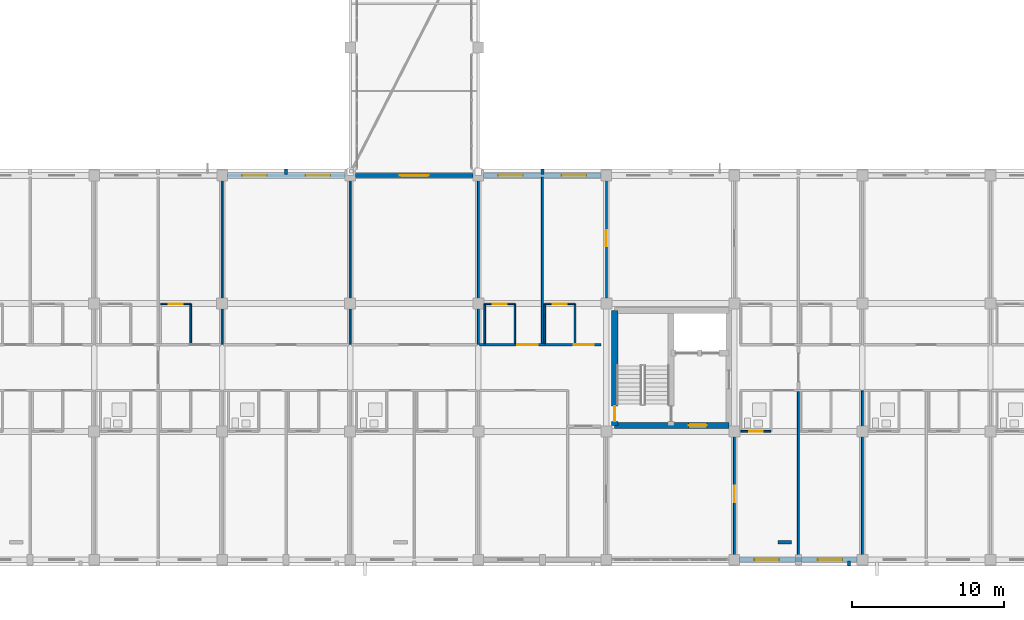
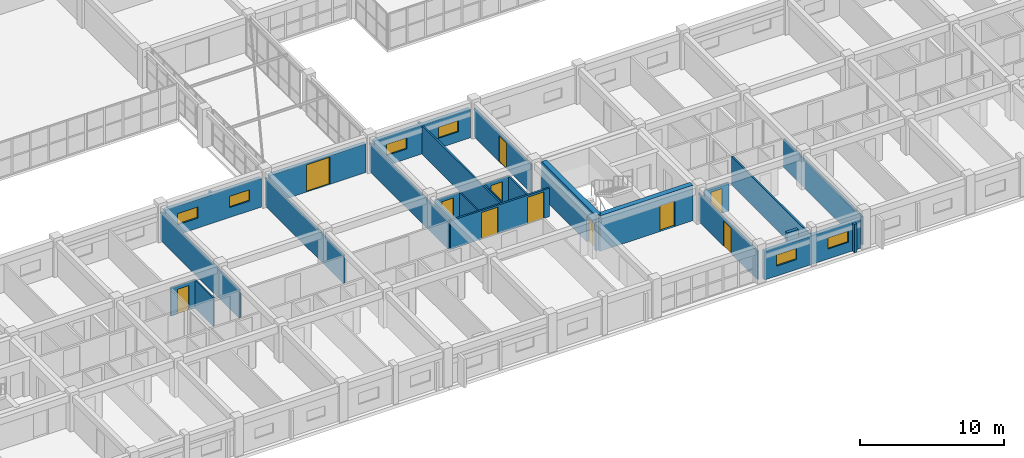
# One storey, part 116 of 148: 28 walls, 11 doors, 6 windows, 17 openings.
"""IFC4 building model written with IfcOpenShell, lengths in metres."""

from ifc_helpers import new_model, si_unit, direction, frame, frame_2d, origin, place, context, subcontext, project, spatial, rectangle, extrude, material, layer, layer_set, type_object, element, fill, save


model = new_model("IFC4")

# Units and contexts
model_context = context("Model", 3, precision=1e-05, world=origin(), true_north=direction((0.0, 1.0)))
body_context = subcontext(model_context, "Body", "Model", "MODEL_VIEW")
ifc_project = project(units=[si_unit("LENGTHUNIT", "METRE"), si_unit("AREAUNIT", "SQUARE_METRE"), si_unit("VOLUMEUNIT", "CUBIC_METRE"), si_unit("PLANEANGLEUNIT", "RADIAN"), si_unit("MASSUNIT", "GRAM", prefix="KILO")], contexts=[model_context])

# Site, building, storey
site_placement = place(None, origin())
site = spatial("IfcSite", under=ifc_project, at=site_placement, CompositionType="ELEMENT")
building_placement = place(site_placement, origin())
building = spatial("IfcBuilding", under=site, at=building_placement, Name="Trelvath General Hospital", CompositionType="ELEMENT")
storey_placement = place(building_placement, frame((0.0, 0.0, 12.89990234375)))
storey = spatial("IfcBuildingStorey", under=building, at=storey_placement, Name="L03", CompositionType="ELEMENT", Elevation=12.89990234375)

# Walls
ifc_material_1 = material(Name="Precast concrete C40/50", Category="concrete")
ifc_layer_1 = layer(ifc_material_1, 0.199951171875)
ifc_layer_set_1 = layer_set([ifc_layer_1], Name="Precast concrete C40/50")
wall_type_1 = type_object("IfcWallType", Name="BriseSoleilRib 200", PredefinedType="ELEMENTEDWALL", material=ifc_layer_set_1)
for number, where, z_axis, x_axis, name in (
    (1, (71.39990234375, 25.27490234375, 0.0), (0.0, 0.0, 1.0), (0.0, 1.0, 0.0), "Precast Concrete Brise-Soleil Rib Fin L03-269"),
    (2, (88.199951171875, 25.27490234375, 0.0), (0.0, 0.0, 1.0), (0.0, 1.0, 0.0), "Precast Concrete Brise-Soleil Rib Fin L03-275"),
    (3, (108.315185546875, -0.074951171875, 0.0), (0.0, 0.0, 1.0), (0.0, -1.0, 0.0), "Precast Concrete Brise-Soleil Rib Fin L03-280"),
):
    element("IfcWall", number, at=place(storey_placement, frame(where, z_axis=z_axis, x_axis=x_axis)), inside=storey, type_object=wall_type_1, Name=name, PredefinedType="ELEMENTEDWALL", context=body_context, shape_type="SweptSolid", body=[
        extrude(rectangle(XDim=0.340087890625, YDim=0.199951171875, at=frame_2d((0.169921875, 0.0))), origin(), (0.0, 0.0, 1.0), 2.420166015625),
    ])

# Wall, openings, doors
ifc_material_2 = material(Name="Gypsum acoustic steel-stud partition", Category="steel")
ifc_layer_2 = layer(ifc_material_2, 0.14990234375)
ifc_layer_set_2 = layer_set([ifc_layer_2], Name="Gypsum acoustic steel-stud partition")
wall_type_2 = type_object("IfcWallType", Name="ClinicalPartition 150", PredefinedType="PARTITIONING", material=ifc_layer_set_2)
wall_1_placement = place(storey_placement, frame((92.0400390625, 14.10009765625, 0.0), z_axis=(0.0, 0.0, 1.0), x_axis=(-1.0, 0.0, 0.0)))
wall_1 = element("IfcWall", 4, at=wall_1_placement, inside=storey, type_object=wall_type_2, Name="Corridor Partition N L03-1159", PredefinedType="PARTITIONING", context=body_context, shape_type="SweptSolid", body=[
    extrude(rectangle(XDim=7.9599609375, YDim=0.14990234375, at=frame_2d((3.97998046875, 0.0))), origin(), (0.0, 0.0, 1.0), 2.420166015625),
])
opening_1_placement = place(wall_1_placement, frame((0.449951171875, 0.0, 0.0)))
opening_1 = element("IfcOpeningElement", 5, at=opening_1_placement, cuts=wall_1, Name="Opening D-3-0865", PredefinedType="OPENING", context=body_context, shape_type="SweptSolid", body=[
    extrude(rectangle(XDim=1.320068359375, YDim=2.25, at=frame_2d((0.66015625, 1.125))), frame((0.0, 0.0849609375, 0.0), z_axis=(0.0, -1.0, 0.0), x_axis=(1.0, 0.0, 0.0)), (0.0, 0.0, 1.0), 0.169921875),
])
opening_2_placement = place(wall_1_placement, frame((4.14990234375, 0.0, 0.0)))
opening_2 = element("IfcOpeningElement", 6, at=opening_2_placement, cuts=wall_1, Name="Opening D-3-0866", PredefinedType="OPENING", context=body_context, shape_type="SweptSolid", body=[
    extrude(rectangle(XDim=1.320068359375, YDim=2.25, at=frame_2d((0.66015625, 1.125))), frame((0.0, 0.0849609375, 0.0), z_axis=(0.0, -1.0, 0.0), x_axis=(1.0, 0.0, 0.0)), (0.0, 0.0, 1.0), 0.169921875),
])
ifc_material_3 = material(Name="Maternity bed-leaf timber door", Category="wood")
door_type_1 = type_object("IfcDoorType", Name="Door PatientMaternity 1320x2250", OperationType="NOTDEFINED", PredefinedType="DOOR", material=ifc_material_3)
door_1_placement = place(opening_1_placement, origin())
door_1 = element("IfcDoor", 7, at=door_1_placement, inside=storey, type_object=door_type_1, Name="Patient Room Door N L03-865", OperationType="SINGLE_SWING_LEFT", OverallHeight=2.25, OverallWidth=1.320068359375, PredefinedType="DOOR", context=body_context, shape_type="SweptSolid", body=[
    extrude(rectangle(XDim=1.320068359375, YDim=2.25, at=frame_2d((0.66015625, 1.125))), frame((0.0, 0.02490234375, 0.0), z_axis=(0.0, -1.0, 0.0), x_axis=(1.0, 0.0, 0.0)), (0.0, 0.0, 1.0), 0.050048828125),
])
fill(opening_1, door_1)
door_2_placement = place(opening_2_placement, origin())
door_2 = element("IfcDoor", 8, at=door_2_placement, inside=storey, type_object=door_type_1, Name="Patient Room Door N L03-866", OperationType="SINGLE_SWING_LEFT", OverallHeight=2.25, OverallWidth=1.320068359375, PredefinedType="DOOR", context=body_context, shape_type="SweptSolid", body=[
    extrude(rectangle(XDim=1.320068359375, YDim=2.25, at=frame_2d((0.66015625, 1.125))), frame((0.0, 0.02490234375, 0.0), z_axis=(0.0, -1.0, 0.0), x_axis=(1.0, 0.0, 0.0)), (0.0, 0.0, 1.0), 0.050048828125),
])
fill(opening_2, door_2)

# Wall, opening, door
ifc_material_4 = material(Name="Concrete C40/50", Category="concrete")
ifc_layer_3 = layer(ifc_material_4, 0.39990234375)
ifc_layer_set_3 = layer_set([ifc_layer_3], Name="Concrete C40/50")
wall_type_3 = type_object("IfcWallType", Name="CoreShearWall 400", PredefinedType="SHEAR", material=ifc_layer_set_3)
wall_2_placement = place(storey_placement, frame((92.949951171875, 8.800048828125, 0.0), z_axis=(0.0, 0.0, 1.0), x_axis=(1.0, 0.0, 0.0)))
wall_2 = element("IfcWall", 9, at=wall_2_placement, inside=storey, type_object=wall_type_3, Name="Core Shear Wall C5 S L03", PredefinedType="SHEAR", context=body_context, shape_type="SweptSolid", body=[
    extrude(rectangle(XDim=7.5, YDim=0.39990234375, at=frame_2d((3.75, 0.0))), origin(), (0.0, 0.0, 1.0), 3.02001953125),
])
opening_3_placement = place(wall_2_placement, frame((4.85009765625, 0.0, 0.0)))
opening_3 = element("IfcOpeningElement", 10, at=opening_3_placement, cuts=wall_2, Name="Opening FD-LS53", PredefinedType="OPENING", context=body_context, shape_type="SweptSolid", body=[
    extrude(rectangle(XDim=1.199951171875, YDim=2.199951171875, at=frame_2d((0.60009765625, 1.10009765625))), frame((0.0, 0.2099609375, 0.0), z_axis=(0.0, -1.0, 0.0), x_axis=(1.0, 0.0, 0.0)), (0.0, 0.0, 1.0), 0.419921875),
])
ifc_material_5 = material(Name="Fire-rated steel door", Category="steel")
door_type_2 = type_object("IfcDoorType", Name="Door FireLobby 1200x2200", OperationType="NOTDEFINED", PredefinedType="DOOR", material=ifc_material_5)
door_3_placement = place(opening_3_placement, origin())
door_3 = element("IfcDoor", 11, at=door_3_placement, inside=storey, type_object=door_type_2, Name="Fire Lobby South Door C5 L03", OperationType="SINGLE_SWING_LEFT", OverallHeight=2.199951171875, OverallWidth=1.199951171875, PredefinedType="DOOR", context=body_context, shape_type="SweptSolid", body=[
    extrude(rectangle(XDim=1.199951171875, YDim=2.199951171875, at=frame_2d((0.60009765625, 1.10009765625))), frame((0.0, 0.02490234375, 0.0), z_axis=(0.0, -1.0, 0.0), x_axis=(1.0, 0.0, 0.0)), (0.0, 0.0, 1.0), 0.050048828125),
])
fill(opening_3, door_3)

wall_3_placement = place(storey_placement, frame((92.949951171875, 8.800048828125, 0.0), z_axis=(0.0, 0.0, 1.0), x_axis=(0.0, 1.0, 0.0)))
wall_3 = element("IfcWall", 12, at=wall_3_placement, inside=storey, type_object=wall_type_3, Name="Core Shear Wall C5 W L03", PredefinedType="SHEAR", context=body_context, shape_type="SweptSolid", body=[
    extrude(rectangle(XDim=7.550048828125, YDim=0.39990234375, at=frame_2d((3.77490234375, 0.0))), origin(), (0.0, 0.0, 1.0), 3.02001953125),
])
opening_4_placement = place(wall_3_placement, frame((0.280029296875, 0.0, 0.0)))
opening_4 = element("IfcOpeningElement", 13, at=opening_4_placement, cuts=wall_3, Name="Opening FD-SW53", PredefinedType="OPENING", context=body_context, shape_type="SweptSolid", body=[
    extrude(rectangle(XDim=1.0, YDim=2.14990234375, at=frame_2d((0.5, 1.074951171875))), frame((0.0, 0.2099609375, 0.0), z_axis=(0.0, -1.0, 0.0), x_axis=(1.0, 0.0, 0.0)), (0.0, 0.0, 1.0), 0.419921875),
])
ifc_material_6 = material(Name="Fire-rated steel door", Category="steel")
door_type_3 = type_object("IfcDoorType", Name="Door FireStair 1100x2150", OperationType="NOTDEFINED", PredefinedType="DOOR", material=ifc_material_6)
door_4_placement = place(opening_4_placement, origin())
door_4 = element("IfcDoor", 14, at=door_4_placement, inside=storey, type_object=door_type_3, Name="West Corridor Stair Door ST5 L03", OperationType="SINGLE_SWING_RIGHT", OverallHeight=2.14990234375, OverallWidth=1.0, PredefinedType="DOOR", context=body_context, shape_type="SweptSolid", body=[
    extrude(rectangle(XDim=1.0, YDim=2.14990234375, at=frame_2d((0.5, 1.074951171875))), frame((0.0, 0.02490234375, 0.0), z_axis=(0.0, -1.0, 0.0), x_axis=(1.0, 0.0, 0.0)), (0.0, 0.0, 1.0), 0.050048828125),
])
fill(opening_4, door_4)

# Wall
ifc_material_7 = material(Name="Moisture-resistant tile partition")
ifc_layer_4 = layer(ifc_material_7, 0.110107421875)
ifc_layer_set_4 = layer_set([ifc_layer_4], Name="Moisture-resistant tile partition")
wall_type_4 = type_object("IfcWallType", Name="EnSuiteWetWall 110", PredefinedType="PARTITIONING", material=ifc_layer_set_4)
wall_4_placement = place(storey_placement, frame((65.139892578125, 14.169921875, 0.0), z_axis=(0.0, 0.0, 1.0), x_axis=(0.0, 1.0, 0.0)))
element("IfcWall", 15, at=wall_4_placement, inside=storey, type_object=wall_type_4, Name="En-Suite E Wall N L03-1128", PredefinedType="PARTITIONING", context=body_context, shape_type="SweptSolid", body=[
    extrude(rectangle(XDim=2.610107421875, YDim=0.110107421875, at=frame_2d((1.30517578125, 0.0))), origin(), (0.0, 0.0, 1.0), 2.420166015625),
])

# Wall, opening, door
wall_5_placement = place(storey_placement, frame((63.159912109375, 16.780029296875, 0.0), z_axis=(0.0, 0.0, 1.0), x_axis=(1.0, 0.0, 0.0)))
wall_5 = element("IfcWall", 16, at=wall_5_placement, inside=storey, type_object=wall_type_4, Name="En-Suite Bathroom N Partition L03-1129", PredefinedType="PARTITIONING", context=body_context, shape_type="SweptSolid", body=[
    extrude(rectangle(XDim=1.97998046875, YDim=0.110107421875, at=frame_2d((0.989990234375, 0.0))), origin(), (0.0, 0.0, 1.0), 2.420166015625),
])
opening_5_placement = place(wall_5_placement, frame((0.5400390625, 0.0, 0.0)))
opening_5 = element("IfcOpeningElement", 17, at=opening_5_placement, cuts=wall_5, Name="Opening D-3-0851", PredefinedType="OPENING", context=body_context, shape_type="SweptSolid", body=[
    extrude(rectangle(XDim=0.89990234375, YDim=2.10009765625, at=frame_2d((0.449951171875, 1.050048828125))), frame((0.0, 0.06494140625, 0.0), z_axis=(0.0, -1.0, 0.0), x_axis=(1.0, 0.0, 0.0)), (0.0, 0.0, 1.0), 0.130126953125),
])
ifc_material_8 = material(Name="Moisture-sealed timber leaf", Category="wood")
door_type_4 = type_object("IfcDoorType", Name="Door EnSuite 900x2100", OperationType="NOTDEFINED", PredefinedType="DOOR", material=ifc_material_8)
door_5_placement = place(opening_5_placement, origin())
door_5 = element("IfcDoor", 18, at=door_5_placement, inside=storey, type_object=door_type_4, Name="En-Suite Bathroom N Door L03-851", OperationType="SINGLE_SWING_LEFT", OverallHeight=2.10009765625, OverallWidth=0.89990234375, PredefinedType="DOOR", context=body_context, shape_type="SweptSolid", body=[
    extrude(rectangle(XDim=0.89990234375, YDim=2.10009765625, at=frame_2d((0.449951171875, 1.050048828125))), frame((0.0, 0.02490234375, 0.0), z_axis=(0.0, -1.0, 0.0), x_axis=(1.0, 0.0, 0.0)), (0.0, 0.0, 1.0), 0.050048828125),
])
fill(opening_5, door_5)

# Walls
for number, where, z_axis, x_axis, name in (
    (19, (84.419921875, 14.169921875, 0.0), (0.0, 0.0, 1.0), (0.0, 1.0, 0.0), "En-Suite W Wall N L03-1161"),
    (20, (86.39990234375, 14.169921875, 0.0), (0.0, 0.0, 1.0), (0.0, 1.0, 0.0), "En-Suite E Wall N L03-1162"),
):
    element("IfcWall", number, at=place(storey_placement, frame(where, z_axis=z_axis, x_axis=x_axis)), inside=storey, type_object=wall_type_4, Name=name, PredefinedType="PARTITIONING", context=body_context, shape_type="SweptSolid", body=[
        extrude(rectangle(XDim=2.610107421875, YDim=0.110107421875, at=frame_2d((1.30517578125, 0.0))), origin(), (0.0, 0.0, 1.0), 2.420166015625),
    ])

# Wall, opening, door
wall_6_placement = place(storey_placement, frame((84.419921875, 16.780029296875, 0.0), z_axis=(0.0, 0.0, 1.0), x_axis=(1.0, 0.0, 0.0)))
wall_6 = element("IfcWall", 21, at=wall_6_placement, inside=storey, type_object=wall_type_4, Name="En-Suite Bathroom N Partition L03-1163", PredefinedType="PARTITIONING", context=body_context, shape_type="SweptSolid", body=[
    extrude(rectangle(XDim=1.97998046875, YDim=0.110107421875, at=frame_2d((0.989990234375, 0.0))), origin(), (0.0, 0.0, 1.0), 2.420166015625),
])
opening_6_placement = place(wall_6_placement, frame((0.5400390625, 0.0, 0.0)))
opening_6 = element("IfcOpeningElement", 22, at=opening_6_placement, cuts=wall_6, Name="Opening D-3-0867", PredefinedType="OPENING", context=body_context, shape_type="SweptSolid", body=[
    extrude(rectangle(XDim=0.89990234375, YDim=2.10009765625, at=frame_2d((0.449951171875, 1.050048828125))), frame((0.0, 0.06494140625, 0.0), z_axis=(0.0, -1.0, 0.0), x_axis=(1.0, 0.0, 0.0)), (0.0, 0.0, 1.0), 0.130126953125),
])
door_6_placement = place(opening_6_placement, origin())
door_6 = element("IfcDoor", 23, at=door_6_placement, inside=storey, type_object=door_type_4, Name="En-Suite Bathroom N Door L03-867", OperationType="SINGLE_SWING_RIGHT", OverallHeight=2.10009765625, OverallWidth=0.89990234375, PredefinedType="DOOR", context=body_context, shape_type="SweptSolid", body=[
    extrude(rectangle(XDim=0.89990234375, YDim=2.10009765625, at=frame_2d((0.449951171875, 1.050048828125))), frame((0.0, 0.02490234375, 0.0), z_axis=(0.0, -1.0, 0.0), x_axis=(1.0, 0.0, 0.0)), (0.0, 0.0, 1.0), 0.050048828125),
])
fill(opening_6, door_6)

# Walls
for number, where, z_axis, x_axis, name in (
    (24, (88.360107421875, 14.169921875, 0.0), (0.0, 0.0, 1.0), (0.0, 1.0, 0.0), "En-Suite W Wall N L03-1164"),
    (25, (90.340087890625, 14.169921875, 0.0), (0.0, 0.0, 1.0), (0.0, 1.0, 0.0), "En-Suite E Wall N L03-1165"),
):
    element("IfcWall", number, at=place(storey_placement, frame(where, z_axis=z_axis, x_axis=x_axis)), inside=storey, type_object=wall_type_4, Name=name, PredefinedType="PARTITIONING", context=body_context, shape_type="SweptSolid", body=[
        extrude(rectangle(XDim=2.610107421875, YDim=0.110107421875, at=frame_2d((1.30517578125, 0.0))), origin(), (0.0, 0.0, 1.0), 2.420166015625),
    ])

# Wall, opening, door
wall_7_placement = place(storey_placement, frame((88.360107421875, 16.780029296875, 0.0), z_axis=(0.0, 0.0, 1.0), x_axis=(1.0, 0.0, 0.0)))
wall_7 = element("IfcWall", 26, at=wall_7_placement, inside=storey, type_object=wall_type_4, Name="En-Suite Bathroom N Partition L03-1166", PredefinedType="PARTITIONING", context=body_context, shape_type="SweptSolid", body=[
    extrude(rectangle(XDim=1.97998046875, YDim=0.110107421875, at=frame_2d((0.989990234375, 0.0))), origin(), (0.0, 0.0, 1.0), 2.420166015625),
])
opening_7_placement = place(wall_7_placement, frame((0.5400390625, 0.0, 0.0)))
opening_7 = element("IfcOpeningElement", 27, at=opening_7_placement, cuts=wall_7, Name="Opening D-3-0868", PredefinedType="OPENING", context=body_context, shape_type="SweptSolid", body=[
    extrude(rectangle(XDim=0.89990234375, YDim=2.10009765625, at=frame_2d((0.449951171875, 1.050048828125))), frame((0.0, 0.06494140625, 0.0), z_axis=(0.0, -1.0, 0.0), x_axis=(1.0, 0.0, 0.0)), (0.0, 0.0, 1.0), 0.130126953125),
])
door_7_placement = place(opening_7_placement, origin())
door_7 = element("IfcDoor", 28, at=door_7_placement, inside=storey, type_object=door_type_4, Name="En-Suite Bathroom N Door L03-868", OperationType="SINGLE_SWING_LEFT", OverallHeight=2.10009765625, OverallWidth=0.89990234375, PredefinedType="DOOR", context=body_context, shape_type="SweptSolid", body=[
    extrude(rectangle(XDim=0.89990234375, YDim=2.10009765625, at=frame_2d((0.449951171875, 1.050048828125))), frame((0.0, 0.02490234375, 0.0), z_axis=(0.0, -1.0, 0.0), x_axis=(1.0, 0.0, 0.0)), (0.0, 0.0, 1.0), 0.050048828125),
])
fill(opening_7, door_7)

wall_8_placement = place(storey_placement, frame((101.219970703125, 8.419921875, 0.0), z_axis=(0.0, 0.0, 1.0), x_axis=(1.0, 0.0, 0.0)))
wall_8 = element("IfcWall", 29, at=wall_8_placement, inside=storey, type_object=wall_type_4, Name="En-Suite Bathroom Partition L03-1175", PredefinedType="PARTITIONING", context=body_context, shape_type="SweptSolid", body=[
    extrude(rectangle(XDim=1.97998046875, YDim=0.110107421875, at=frame_2d((0.989990234375, 0.0))), origin(), (0.0, 0.0, 1.0), 2.420166015625),
])
opening_8_placement = place(wall_8_placement, frame((0.5400390625, 0.0, 0.0)))
opening_8 = element("IfcOpeningElement", 30, at=opening_8_placement, cuts=wall_8, Name="Opening D-3-0875", PredefinedType="OPENING", context=body_context, shape_type="SweptSolid", body=[
    extrude(rectangle(XDim=0.89990234375, YDim=2.10009765625, at=frame_2d((0.449951171875, 1.050048828125))), frame((0.0, 0.06494140625, 0.0), z_axis=(0.0, -1.0, 0.0), x_axis=(1.0, 0.0, 0.0)), (0.0, 0.0, 1.0), 0.130126953125),
])
door_8_placement = place(opening_8_placement, origin())
door_8 = element("IfcDoor", 31, at=door_8_placement, inside=storey, type_object=door_type_4, Name="En-Suite Bathroom Door L03-875", OperationType="SINGLE_SWING_RIGHT", OverallHeight=2.10009765625, OverallWidth=0.89990234375, PredefinedType="DOOR", context=body_context, shape_type="SweptSolid", body=[
    extrude(rectangle(XDim=0.89990234375, YDim=2.10009765625, at=frame_2d((0.449951171875, 1.050048828125))), frame((0.0, 0.02490234375, 0.0), z_axis=(0.0, -1.0, 0.0), x_axis=(1.0, 0.0, 0.0)), (0.0, 0.0, 1.0), 0.050048828125),
])
fill(opening_8, door_8)

# Wall, openings, windows
ifc_material_9 = material(Name="Concrete C35/45", Category="concrete")
ifc_layer_5 = layer(ifc_material_9, 0.2900390625)
ifc_layer_set_5 = layer_set([ifc_layer_5], Name="Concrete C35/45")
wall_type_5 = type_object("IfcWallType", Name="ExtBushHammeredWall 290", PredefinedType="SOLIDWALL", material=ifc_layer_set_5)
wall_9_placement = place(storey_placement, frame((67.544921875, 25.199951171875, 0.0), z_axis=(0.0, 0.0, 1.0), x_axis=(1.0, 0.0, 0.0)))
wall_9 = element("IfcWall", 32, at=wall_9_placement, inside=storey, type_object=wall_type_5, Name="Exterior Concrete Wall L03-377", PredefinedType="SOLIDWALL", context=body_context, shape_type="SweptSolid", body=[
    extrude(rectangle(XDim=7.7099609375, YDim=0.2900390625, at=frame_2d((3.85498046875, 0.0))), origin(), (0.0, 0.0, 1.0), 2.440185546875),
])
opening_9_placement = place(wall_9_placement, frame((0.96337890625, 0.0, 0.85009765625)))
opening_9 = element("IfcOpeningElement", 33, at=opening_9_placement, cuts=wall_9, Name="Opening WN-3-623", PredefinedType="OPENING", context=body_context, shape_type="SweptSolid", body=[
    extrude(rectangle(XDim=1.6201171875, YDim=0.949951171875, at=frame_2d((0.81005859375, 0.47509765625))), frame((0.0, 0.155029296875, 0.0), z_axis=(0.0, -1.0, 0.0), x_axis=(1.0, 0.0, 0.0)), (0.0, 0.0, 1.0), 0.31005859375),
])
opening_10_placement = place(wall_9_placement, frame((5.126708984375, 0.0, 0.85009765625)))
opening_10 = element("IfcOpeningElement", 34, at=opening_10_placement, cuts=wall_9, Name="Opening WN-3-624", PredefinedType="OPENING", context=body_context, shape_type="SweptSolid", body=[
    extrude(rectangle(XDim=1.6201171875, YDim=0.949951171875, at=frame_2d((0.81005859375, 0.47509765625))), frame((0.0, 0.155029296875, 0.0), z_axis=(0.0, -1.0, 0.0), x_axis=(1.0, 0.0, 0.0)), (0.0, 0.0, 1.0), 0.31005859375),
])
ifc_material_10 = material(Name="Low-E laminated glass", Category="glass")
window_type = type_object("IfcWindowType", Name="Window EmergencyClere 1620x950", PartitioningType="DOUBLE_PANEL_VERTICAL", PredefinedType="WINDOW", material=ifc_material_10)
window_1_placement = place(opening_9_placement, origin())
window_1 = element("IfcWindow", 35, at=window_1_placement, inside=storey, type_object=window_type, Name="Solar Reveal Window L03-623", OverallHeight=0.949951171875, OverallWidth=1.6201171875, PartitioningType="SINGLE_PANEL", PredefinedType="WINDOW", context=body_context, shape_type="SweptSolid", body=[
    extrude(rectangle(XDim=1.6201171875, YDim=0.949951171875, at=frame_2d((0.81005859375, 0.47509765625))), frame((0.0, 0.030029296875, 0.0), z_axis=(0.0, -1.0, 0.0), x_axis=(1.0, 0.0, 0.0)), (0.0, 0.0, 1.0), 0.06005859375),
])
fill(opening_9, window_1)
window_2_placement = place(opening_10_placement, origin())
window_2 = element("IfcWindow", 36, at=window_2_placement, inside=storey, type_object=window_type, Name="Solar Reveal Window L03-624", OverallHeight=0.949951171875, OverallWidth=1.6201171875, PartitioningType="SINGLE_PANEL", PredefinedType="WINDOW", context=body_context, shape_type="SweptSolid", body=[
    extrude(rectangle(XDim=1.6201171875, YDim=0.949951171875, at=frame_2d((0.81005859375, 0.47509765625))), frame((0.0, 0.030029296875, 0.0), z_axis=(0.0, -1.0, 0.0), x_axis=(1.0, 0.0, 0.0)), (0.0, 0.0, 1.0), 0.06005859375),
])
fill(opening_10, window_2)

# Wall, opening, door
wall_10_placement = place(storey_placement, frame((75.945068359375, 25.199951171875, 0.0), z_axis=(0.0, 0.0, 1.0), x_axis=(1.0, 0.0, 0.0)))
wall_10 = element("IfcWall", 37, at=wall_10_placement, inside=storey, type_object=wall_type_5, Name="Bridge Portal Wall BRG-S-C L03", PredefinedType="SOLIDWALL", context=body_context, shape_type="SweptSolid", body=[
    extrude(rectangle(XDim=7.7099609375, YDim=0.2900390625, at=frame_2d((3.85498046875, 0.0))), origin(), (0.0, 0.0, 1.0), 2.440185546875),
])
opening_11_placement = place(wall_10_placement, frame((2.905029296875, 0.0, 0.0)))
opening_11 = element("IfcOpeningElement", 38, at=opening_11_placement, cuts=wall_10, Name="Opening BP-3-050", PredefinedType="OPENING", context=body_context, shape_type="SweptSolid", body=[
    extrude(rectangle(XDim=1.89990234375, YDim=2.320068359375, at=frame_2d((0.949951171875, 1.16015625))), frame((0.0, 0.155029296875, 0.0), z_axis=(0.0, -1.0, 0.0), x_axis=(1.0, 0.0, 0.0)), (0.0, 0.0, 1.0), 0.31005859375),
])
ifc_material_11 = material(Name="Thermally broken glazed aluminium pair", Category="aluminium")
door_type_5 = type_object("IfcDoorType", Name="Door BridgeEntry 1900x2400", OperationType="DOUBLE_SWING_LEFT", PredefinedType="DOOR", material=ifc_material_11)
door_9_placement = place(opening_11_placement, origin())
door_9 = element("IfcDoor", 39, at=door_9_placement, inside=storey, type_object=door_type_5, Name="Glazed Bridge Portal Door BRG-S-C L03", OperationType="DOUBLE_SWING_LEFT", OverallHeight=2.320068359375, OverallWidth=1.89990234375, PredefinedType="DOOR", context=body_context, shape_type="SweptSolid", body=[
    extrude(rectangle(XDim=1.89990234375, YDim=2.320068359375, at=frame_2d((0.949951171875, 1.16015625))), frame((0.0, 0.02490234375, 0.0), z_axis=(0.0, -1.0, 0.0), x_axis=(1.0, 0.0, 0.0)), (0.0, 0.0, 1.0), 0.050048828125),
])
fill(opening_11, door_9)

# Wall, openings, windows
wall_11_placement = place(storey_placement, frame((84.344970703125, 25.199951171875, 0.0), z_axis=(0.0, 0.0, 1.0), x_axis=(1.0, 0.0, 0.0)))
wall_11 = element("IfcWall", 40, at=wall_11_placement, inside=storey, type_object=wall_type_5, Name="Exterior Concrete Wall L03-390", PredefinedType="SOLIDWALL", context=body_context, shape_type="SweptSolid", body=[
    extrude(rectangle(XDim=7.7099609375, YDim=0.2900390625, at=frame_2d((3.85498046875, 0.0))), origin(), (0.0, 0.0, 1.0), 2.440185546875),
])
opening_12_placement = place(wall_11_placement, frame((0.96337890625, 0.0, 0.85009765625)))
opening_12 = element("IfcOpeningElement", 41, at=opening_12_placement, cuts=wall_11, Name="Opening WN-3-635", PredefinedType="OPENING", context=body_context, shape_type="SweptSolid", body=[
    extrude(rectangle(XDim=1.6201171875, YDim=0.949951171875, at=frame_2d((0.81005859375, 0.47509765625))), frame((0.0, 0.155029296875, 0.0), z_axis=(0.0, -1.0, 0.0), x_axis=(1.0, 0.0, 0.0)), (0.0, 0.0, 1.0), 0.31005859375),
])
opening_13_placement = place(wall_11_placement, frame((5.126708984375, 0.0, 0.85009765625)))
opening_13 = element("IfcOpeningElement", 42, at=opening_13_placement, cuts=wall_11, Name="Opening WN-3-636", PredefinedType="OPENING", context=body_context, shape_type="SweptSolid", body=[
    extrude(rectangle(XDim=1.6201171875, YDim=0.949951171875, at=frame_2d((0.81005859375, 0.47509765625))), frame((0.0, 0.155029296875, 0.0), z_axis=(0.0, -1.0, 0.0), x_axis=(1.0, 0.0, 0.0)), (0.0, 0.0, 1.0), 0.31005859375),
])
window_3_placement = place(opening_12_placement, origin())
window_3 = element("IfcWindow", 43, at=window_3_placement, inside=storey, type_object=window_type, Name="Solar Reveal Window L03-635", OverallHeight=0.949951171875, OverallWidth=1.6201171875, PartitioningType="SINGLE_PANEL", PredefinedType="WINDOW", context=body_context, shape_type="SweptSolid", body=[
    extrude(rectangle(XDim=1.6201171875, YDim=0.949951171875, at=frame_2d((0.81005859375, 0.47509765625))), frame((0.0, 0.030029296875, 0.0), z_axis=(0.0, -1.0, 0.0), x_axis=(1.0, 0.0, 0.0)), (0.0, 0.0, 1.0), 0.06005859375),
])
fill(opening_12, window_3)
window_4_placement = place(opening_13_placement, origin())
window_4 = element("IfcWindow", 44, at=window_4_placement, inside=storey, type_object=window_type, Name="Solar Reveal Window L03-636", OverallHeight=0.949951171875, OverallWidth=1.6201171875, PartitioningType="SINGLE_PANEL", PredefinedType="WINDOW", context=body_context, shape_type="SweptSolid", body=[
    extrude(rectangle(XDim=1.6201171875, YDim=0.949951171875, at=frame_2d((0.81005859375, 0.47509765625))), frame((0.0, 0.030029296875, 0.0), z_axis=(0.0, -1.0, 0.0), x_axis=(1.0, 0.0, 0.0)), (0.0, 0.0, 1.0), 0.06005859375),
])
fill(opening_13, window_4)

wall_12_placement = place(storey_placement, frame((108.85498046875, 0.0, 0.0), z_axis=(0.0, 0.0, 1.0), x_axis=(-1.0, 0.0, 0.0)))
wall_12 = element("IfcWall", 45, at=wall_12_placement, inside=storey, type_object=wall_type_5, Name="Exterior Concrete Wall L03-398", PredefinedType="SOLIDWALL", context=body_context, shape_type="SweptSolid", body=[
    extrude(rectangle(XDim=7.7099609375, YDim=0.2900390625, at=frame_2d((3.85498046875, 0.0))), origin(), (0.0, 0.0, 1.0), 2.440185546875),
])
opening_14_placement = place(wall_12_placement, frame((0.96337890625, 0.0, 0.85009765625)))
opening_14 = element("IfcOpeningElement", 46, at=opening_14_placement, cuts=wall_12, Name="Opening WN-3-645", PredefinedType="OPENING", context=body_context, shape_type="SweptSolid", body=[
    extrude(rectangle(XDim=1.6201171875, YDim=0.949951171875, at=frame_2d((0.81005859375, 0.47509765625))), frame((0.0, 0.155029296875, 0.0), z_axis=(0.0, -1.0, 0.0), x_axis=(1.0, 0.0, 0.0)), (0.0, 0.0, 1.0), 0.31005859375),
])
opening_15_placement = place(wall_12_placement, frame((5.126708984375, 0.0, 0.85009765625)))
opening_15 = element("IfcOpeningElement", 47, at=opening_15_placement, cuts=wall_12, Name="Opening WN-3-646", PredefinedType="OPENING", context=body_context, shape_type="SweptSolid", body=[
    extrude(rectangle(XDim=1.6201171875, YDim=0.949951171875, at=frame_2d((0.81005859375, 0.47509765625))), frame((0.0, 0.155029296875, 0.0), z_axis=(0.0, -1.0, 0.0), x_axis=(1.0, 0.0, 0.0)), (0.0, 0.0, 1.0), 0.31005859375),
])
window_5_placement = place(opening_14_placement, origin())
window_5 = element("IfcWindow", 48, at=window_5_placement, inside=storey, type_object=window_type, Name="Solar Reveal Window L03-645", OverallHeight=0.949951171875, OverallWidth=1.6201171875, PartitioningType="SINGLE_PANEL", PredefinedType="WINDOW", context=body_context, shape_type="SweptSolid", body=[
    extrude(rectangle(XDim=1.6201171875, YDim=0.949951171875, at=frame_2d((0.81005859375, 0.47509765625))), frame((0.0, 0.030029296875, 0.0), z_axis=(0.0, -1.0, 0.0), x_axis=(1.0, 0.0, 0.0)), (0.0, 0.0, 1.0), 0.06005859375),
])
fill(opening_14, window_5)
window_6_placement = place(opening_15_placement, origin())
window_6 = element("IfcWindow", 49, at=window_6_placement, inside=storey, type_object=window_type, Name="Solar Reveal Window L03-646", OverallHeight=0.949951171875, OverallWidth=1.6201171875, PartitioningType="SINGLE_PANEL", PredefinedType="WINDOW", context=body_context, shape_type="SweptSolid", body=[
    extrude(rectangle(XDim=1.6201171875, YDim=0.949951171875, at=frame_2d((0.81005859375, 0.47509765625))), frame((0.0, 0.030029296875, 0.0), z_axis=(0.0, -1.0, 0.0), x_axis=(1.0, 0.0, 0.0)), (0.0, 0.0, 1.0), 0.06005859375),
])
fill(opening_15, window_6)

# Walls
ifc_material_12 = material(Name="Masonry service chase blockwork", Category="masonry")
ifc_layer_6 = layer(ifc_material_12, 0.239990234375)
ifc_layer_set_6 = layer_set([ifc_layer_6], Name="Masonry service chase blockwork")
wall_type_6 = type_object("IfcWallType", Name="PlumbingChaseWall 240", PredefinedType="PLUMBINGWALL", material=ifc_layer_set_6)
wall_13_placement = place(storey_placement, frame((103.64990234375, 1.14990234375, 0.0), z_axis=(0.0, 0.0, 1.0), x_axis=(1.0, 0.0, 0.0)))
element("IfcWall", 50, at=wall_13_placement, inside=storey, type_object=wall_type_6, Name="Medical Gas Plumbing Chase L03-1179", PredefinedType="PLUMBINGWALL", context=body_context, shape_type="SweptSolid", body=[
    extrude(rectangle(XDim=0.900146484375, YDim=0.239990234375, at=frame_2d((0.4501953125, 0.0))), origin(), (0.0, 0.0, 1.0), 2.420166015625),
])
ifc_material_13 = material(Name="Gypsum acoustic steel-stud partition", Category="steel")
ifc_layer_7 = layer(ifc_material_13, 0.1298828125)
ifc_layer_set_7 = layer_set([ifc_layer_7], Name="Gypsum acoustic steel-stud partition")
wall_type_7 = type_object("IfcWallType", Name="WardPartition 130", PredefinedType="PARTITIONING", material=ifc_layer_set_7)
for number, where, z_axis, x_axis, name in (
    (51, (67.199951171875, 14.1201171875, 0.0), (0.0, 0.0, 1.0), (0.0, 1.0, 0.0), "Inter-Bay Ward Partition N L03-1132"),
    (52, (75.60009765625, 14.1201171875, 0.0), (0.0, 0.0, 1.0), (0.0, 1.0, 0.0), "Inter-Bay Ward Partition N L03-1143"),
    (53, (84.0, 14.1201171875, 0.0), (0.0, 0.0, 1.0), (0.0, 1.0, 0.0), "Inter-Bay Ward Partition N L03-1155"),
):
    element("IfcWall", number, at=place(storey_placement, frame(where, z_axis=z_axis, x_axis=x_axis)), inside=storey, type_object=wall_type_7, Name=name, PredefinedType="PARTITIONING", context=body_context, shape_type="SweptSolid", body=[
        extrude(rectangle(XDim=10.93994140625, YDim=0.1298828125, at=frame_2d((5.469970703125, 0.0))), origin(), (0.0, 0.0, 1.0), 2.420166015625),
    ])
wall_14_placement = place(storey_placement, frame((88.199951171875, 14.169921875, 0.0), z_axis=(0.0, 0.0, 1.0), x_axis=(0.0, 1.0, 0.0)))
element("IfcWall", 54, at=wall_14_placement, inside=storey, type_object=wall_type_7, Name="Room Dividing Partition N L03-1160", PredefinedType="PARTITIONING", context=body_context, shape_type="SweptSolid", body=[
    extrude(rectangle(XDim=10.93017578125, YDim=0.1298828125, at=frame_2d((5.465087890625, 0.0))), origin(), (0.0, 0.0, 1.0), 2.420166015625),
])

# Wall, opening, door
wall_15_placement = place(storey_placement, frame((92.39990234375, 17.14990234375, 0.0), z_axis=(0.0, 0.0, 1.0), x_axis=(0.0, 1.0, 0.0)))
wall_15 = element("IfcWall", 55, at=wall_15_placement, inside=storey, type_object=wall_type_7, Name="Inter-Bay Ward Partition N L03-1168", PredefinedType="PARTITIONING", context=body_context, shape_type="SweptSolid", body=[
    extrude(rectangle(XDim=7.91015625, YDim=0.1298828125, at=frame_2d((3.955078125, 0.0))), origin(), (0.0, 0.0, 1.0), 2.420166015625),
])
opening_16_placement = place(wall_15_placement, frame((3.39990234375, 0.0, 0.0)))
opening_16 = element("IfcOpeningElement", 56, at=opening_16_placement, cuts=wall_15, Name="Opening D-3-0870", PredefinedType="OPENING", context=body_context, shape_type="SweptSolid", body=[
    extrude(rectangle(XDim=1.050048828125, YDim=2.199951171875, at=frame_2d((0.52490234375, 1.10009765625))), frame((0.0, 0.074951171875, 0.0), z_axis=(0.0, -1.0, 0.0), x_axis=(1.0, 0.0, 0.0)), (0.0, 0.0, 1.0), 0.14990234375),
])
ifc_material_14 = material(Name="Acoustic hospital timber leaf", Category="wood")
door_type_6 = type_object("IfcDoorType", Name="Door Consult 1050x2200", OperationType="NOTDEFINED", PredefinedType="DOOR", material=ifc_material_14)
door_10_placement = place(opening_16_placement, origin())
door_10 = element("IfcDoor", 57, at=door_10_placement, inside=storey, type_object=door_type_6, Name="Consultation Connecting Door L03-870", OperationType="SINGLE_SWING_LEFT", OverallHeight=2.199951171875, OverallWidth=1.050048828125, PredefinedType="DOOR", context=body_context, shape_type="SweptSolid", body=[
    extrude(rectangle(XDim=1.050048828125, YDim=2.199951171875, at=frame_2d((0.52490234375, 1.10009765625))), frame((0.0, 0.02490234375, 0.0), z_axis=(0.0, -1.0, 0.0), x_axis=(1.0, 0.0, 0.0)), (0.0, 0.0, 1.0), 0.050048828125),
])
fill(opening_16, door_10)

wall_16_placement = place(storey_placement, frame((100.800048828125, 0.139892578125, 0.0), z_axis=(0.0, 0.0, 1.0), x_axis=(0.0, 1.0, 0.0)))
wall_16 = element("IfcWall", 58, at=wall_16_placement, inside=storey, type_object=wall_type_7, Name="Inter-Bay Ward Partition S L03-1169", PredefinedType="PARTITIONING", context=body_context, shape_type="SweptSolid", body=[
    extrude(rectangle(XDim=8.210205078125, YDim=0.1298828125, at=frame_2d((4.10498046875, 0.0))), origin(), (0.0, 0.0, 1.0), 2.420166015625),
])
opening_17_placement = place(wall_16_placement, frame((3.639892578125, 0.0, 0.0)))
opening_17 = element("IfcOpeningElement", 59, at=opening_17_placement, cuts=wall_16, Name="Opening D-3-0871", PredefinedType="OPENING", context=body_context, shape_type="SweptSolid", body=[
    extrude(rectangle(XDim=1.080078125, YDim=2.14990234375, at=frame_2d((0.5400390625, 1.074951171875))), frame((0.0, 0.074951171875, 0.0), z_axis=(0.0, -1.0, 0.0), x_axis=(1.0, 0.0, 0.0)), (0.0, 0.0, 1.0), 0.14990234375),
])
ifc_material_15 = material(Name="Acoustic hospital timber leaf", Category="wood")
door_type_7 = type_object("IfcDoorType", Name="Door CleanSupply 1080x2150", OperationType="NOTDEFINED", PredefinedType="DOOR", material=ifc_material_15)
door_11_placement = place(opening_17_placement, origin())
door_11 = element("IfcDoor", 60, at=door_11_placement, inside=storey, type_object=door_type_7, Name="Clean Supply Connecting Door L03-871", OperationType="SINGLE_SWING_RIGHT", OverallHeight=2.14990234375, OverallWidth=1.080078125, PredefinedType="DOOR", context=body_context, shape_type="SweptSolid", body=[
    extrude(rectangle(XDim=1.080078125, YDim=2.14990234375, at=frame_2d((0.5400390625, 1.074951171875))), frame((0.0, 0.02490234375, 0.0), z_axis=(0.0, -1.0, 0.0), x_axis=(1.0, 0.0, 0.0)), (0.0, 0.0, 1.0), 0.050048828125),
])
fill(opening_17, door_11)

# Walls
wall_17_placement = place(storey_placement, frame((105.0, 0.10009765625, 0.0), z_axis=(0.0, 0.0, 1.0), x_axis=(0.0, 1.0, 0.0)))
element("IfcWall", 61, at=wall_17_placement, inside=storey, type_object=wall_type_7, Name="Room Dividing Partition S L03-1172", PredefinedType="PARTITIONING", context=body_context, shape_type="SweptSolid", body=[
    extrude(rectangle(XDim=10.929931640625, YDim=0.1298828125, at=frame_2d((5.46484375, 0.0))), origin(), (0.0, 0.0, 1.0), 2.420166015625),
])
wall_18_placement = place(storey_placement, frame((109.199951171875, 0.139892578125, 0.0), z_axis=(0.0, 0.0, 1.0), x_axis=(0.0, 1.0, 0.0)))
element("IfcWall", 62, at=wall_18_placement, inside=storey, type_object=wall_type_7, Name="Inter-Bay Ward Partition S L03-1189", PredefinedType="PARTITIONING", context=body_context, shape_type="SweptSolid", body=[
    extrude(rectangle(XDim=10.940185546875, YDim=0.1298828125, at=frame_2d((5.47021484375, 0.0))), origin(), (0.0, 0.0, 1.0), 2.420166015625),
])

save(model, "model.ifc")
